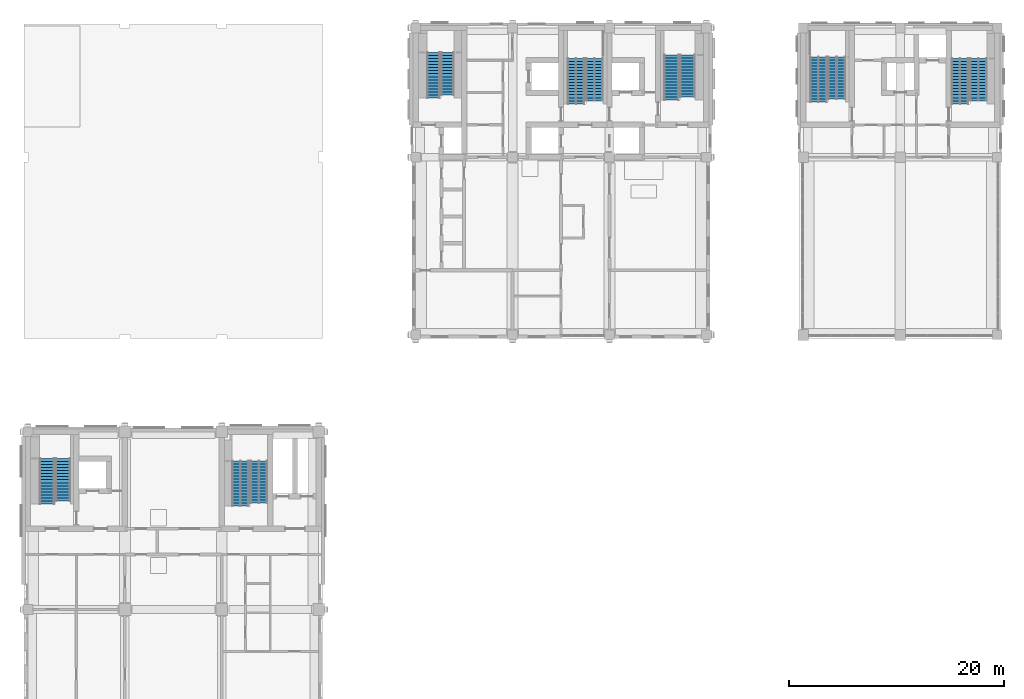
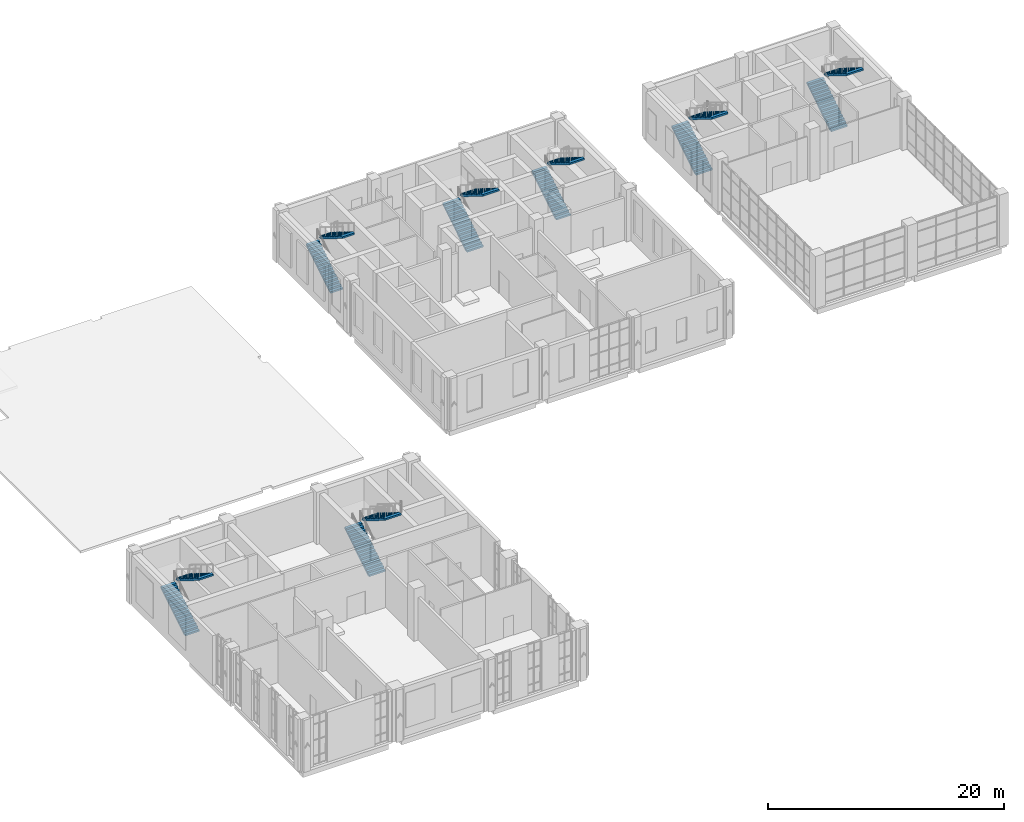
# One storey, part 25 of 33: 14 stair flights, 7 elements without a shape of their own.
"""IFC4 building model written with IfcOpenShell, lengths in metres."""

from ifc_helpers import new_model, si_unit, direction, frame, origin, place, context, subcontext, project, spatial, polyline, outline, extrude, material, type_object, element, aggregate, save


model = new_model("IFC4")

# Units and contexts
model_context = context("Model", 3, precision=1e-05, world=origin(), true_north=direction((0.0, 1.0)))
body_context = subcontext(model_context, "Body", "Model", "MODEL_VIEW")
ifc_project = project(units=[si_unit("LENGTHUNIT", "METRE"), si_unit("AREAUNIT", "SQUARE_METRE"), si_unit("VOLUMEUNIT", "CUBIC_METRE"), si_unit("PLANEANGLEUNIT", "RADIAN"), si_unit("MASSUNIT", "GRAM", prefix="KILO")], contexts=[model_context])

# Site, building, storey
site_placement = place(None, origin())
site = spatial("IfcSite", under=ifc_project, at=site_placement, CompositionType="ELEMENT")
building_placement = place(site_placement, origin())
building = spatial("IfcBuilding", under=site, at=building_placement, Name="Aurelan Courthouse", CompositionType="ELEMENT")
storey_placement = place(building_placement, frame((0.0, 0.0, 22.800048828125)))
storey = spatial("IfcBuildingStorey", under=building, at=storey_placement, Name="L04", CompositionType="ELEMENT", Elevation=22.800048828125)

# Stair, stair flights
ifc_material = material(Name="Concrete C30", Category="concrete")
stair_type_1 = type_object("IfcStairType", Name="Half-turn stair 1200 wide 31 risers", PredefinedType="HALF_TURN_STAIR", material=ifc_material)
stair_1_placement = place(storey_placement, origin())
stair_1 = element("IfcStair", 1, at=stair_1_placement, inside=storey, type_object=stair_type_1, Name="Stair CS-2-L04", PredefinedType="HALF_TURN_STAIR")
stair_flight_type_1 = type_object("IfcStairFlightType", Name="Stair flight 1200 wide 16 risers", PredefinedType="STRAIGHT", material=ifc_material)
stair_flight_1_placement = place(storey_placement, frame((37.659912109375, 59.510009765625, 0.0), z_axis=(0.0, 0.0, 1.0), x_axis=(0.0, 1.0, 0.0)))
stair_flight_1 = element("IfcStairFlight", 2, at=stair_flight_1_placement, type_object=stair_flight_type_1, Name="Stair CS-2-L04 flight 1", NumberOfRisers=16, NumberOfTreads=15, PredefinedType="STRAIGHT", RiserHeight=0.174193548, TreadLength=0.28, context=body_context, shape_type="SweptSolid", body=[
    extrude(outline(polyline([(0.0, 0.0), (0.0, 0.174072265625), (0.280029296875, 0.174072265625), (0.280029296875, 0.348388671875), (0.56005859375, 0.348388671875), (0.56005859375, 0.5224609375), (0.840087890625, 0.5224609375), (0.840087890625, 0.69677734375), (1.1201171875, 0.69677734375), (1.1201171875, 0.870849609375), (1.39990234375, 0.870849609375), (1.39990234375, 1.045166015625), (1.679931640625, 1.045166015625), (1.679931640625, 1.21923828125), (1.9599609375, 1.21923828125), (1.9599609375, 1.3935546875), (2.239990234375, 1.3935546875), (2.239990234375, 1.567626953125), (2.52001953125, 1.567626953125), (2.52001953125, 1.741943359375), (2.800048828125, 1.741943359375), (2.800048828125, 1.916015625), (3.080078125, 1.916015625), (3.080078125, 2.09033203125), (3.360107421875, 2.09033203125), (3.360107421875, 2.264404296875), (3.639892578125, 2.264404296875), (3.639892578125, 2.438720703125), (3.919921875, 2.438720703125), (3.919921875, 2.61279296875), (4.199951171875, 2.61279296875), (4.199951171875, 2.787109375), (4.199951171875, 2.436279296875), (0.28369140625, 0.0), (0.0, 0.0)])), frame((0.0, 0.60009765625, 0.0), z_axis=(0.0, -1.0, 0.0), x_axis=(1.0, 0.0, 0.0)), (0.0, 0.0, 1.0), 1.199951171875),
])
stair_flight_2_placement = place(storey_placement, frame((38.9599609375, 63.7099609375, 2.787109375), z_axis=(0.0, 0.0, 1.0), x_axis=(0.0, -1.0, 0.0)))
stair_flight_2 = element("IfcStairFlight", 3, at=stair_flight_2_placement, type_object=stair_flight_type_1, Name="Stair CS-2-L04 flight 2", NumberOfRisers=15, NumberOfTreads=14, PredefinedType="STRAIGHT", RiserHeight=0.174193548, TreadLength=0.28, context=body_context, shape_type="SweptSolid", body=[
    extrude(outline(polyline([(0.0, 0.0), (0.0, 0.174072265625), (0.280029296875, 0.174072265625), (0.280029296875, 0.348388671875), (0.56005859375, 0.348388671875), (0.56005859375, 0.5224609375), (0.840087890625, 0.5224609375), (0.840087890625, 0.69677734375), (1.1201171875, 0.69677734375), (1.1201171875, 0.870849609375), (1.39990234375, 0.870849609375), (1.39990234375, 1.045166015625), (1.679931640625, 1.045166015625), (1.679931640625, 1.21923828125), (1.9599609375, 1.21923828125), (1.9599609375, 1.3935546875), (2.239990234375, 1.3935546875), (2.239990234375, 1.567626953125), (2.52001953125, 1.567626953125), (2.52001953125, 1.741943359375), (2.800048828125, 1.741943359375), (2.800048828125, 1.916015625), (3.080078125, 1.916015625), (3.080078125, 2.09033203125), (3.360107421875, 2.09033203125), (3.360107421875, 2.264404296875), (3.639892578125, 2.264404296875), (3.639892578125, 2.438720703125), (3.919921875, 2.438720703125), (3.919921875, 2.61279296875), (3.919921875, 2.26220703125), (0.28369140625, 0.0), (0.0, 0.0)])), frame((0.0, 0.60009765625, 0.0), z_axis=(0.0, -1.0, 0.0), x_axis=(1.0, 0.0, 0.0)), (0.0, 0.0, 1.0), 1.199951171875),
])
aggregate(stair_1, [stair_flight_1, stair_flight_2])

stair_type_2 = type_object("IfcStairType", Name="Half-turn stair 1400 wide 31 risers", PredefinedType="HALF_TURN_STAIR", material=ifc_material)
stair_2_placement = place(storey_placement, origin())
stair_2 = element("IfcStair", 4, at=stair_2_placement, inside=storey, type_object=stair_type_2, Name="Stair ST-2E-L04", PredefinedType="HALF_TURN_STAIR")
stair_flight_type_2 = type_object("IfcStairFlightType", Name="Stair flight 1400 wide 16 risers", PredefinedType="STRAIGHT", material=ifc_material)
stair_flight_3_placement = place(storey_placement, frame((59.739990234375, 59.31005859375, 0.0), z_axis=(0.0, 0.0, 1.0), x_axis=(0.0, 1.0, 0.0)))
stair_flight_3 = element("IfcStairFlight", 5, at=stair_flight_3_placement, type_object=stair_flight_type_2, Name="Stair ST-2E-L04 flight 1", NumberOfRisers=16, NumberOfTreads=15, PredefinedType="STRAIGHT", RiserHeight=0.174193548, TreadLength=0.28, context=body_context, shape_type="SweptSolid", body=[
    extrude(outline(polyline([(0.0, 0.0), (0.0, 0.174072265625), (0.280029296875, 0.174072265625), (0.280029296875, 0.348388671875), (0.56005859375, 0.348388671875), (0.56005859375, 0.5224609375), (0.840087890625, 0.5224609375), (0.840087890625, 0.69677734375), (1.1201171875, 0.69677734375), (1.1201171875, 0.870849609375), (1.39990234375, 0.870849609375), (1.39990234375, 1.045166015625), (1.679931640625, 1.045166015625), (1.679931640625, 1.21923828125), (1.9599609375, 1.21923828125), (1.9599609375, 1.3935546875), (2.239990234375, 1.3935546875), (2.239990234375, 1.567626953125), (2.52001953125, 1.567626953125), (2.52001953125, 1.741943359375), (2.800048828125, 1.741943359375), (2.800048828125, 1.916015625), (3.080078125, 1.916015625), (3.080078125, 2.09033203125), (3.360107421875, 2.09033203125), (3.360107421875, 2.264404296875), (3.639892578125, 2.264404296875), (3.639892578125, 2.438720703125), (3.919921875, 2.438720703125), (3.919921875, 2.61279296875), (4.199951171875, 2.61279296875), (4.199951171875, 2.787109375), (4.199951171875, 2.436279296875), (0.28369140625, 0.0), (0.0, 0.0)])), frame((0.0, 0.699951171875, 0.0), z_axis=(0.0, -1.0, 0.0), x_axis=(1.0, 0.0, 0.0)), (0.0, 0.0, 1.0), 1.39990234375),
])
stair_flight_4_placement = place(storey_placement, frame((61.239990234375, 63.510009765625, 2.787109375), z_axis=(0.0, 0.0, 1.0), x_axis=(0.0, -1.0, 0.0)))
stair_flight_4 = element("IfcStairFlight", 6, at=stair_flight_4_placement, type_object=stair_flight_type_2, Name="Stair ST-2E-L04 flight 2", NumberOfRisers=15, NumberOfTreads=14, PredefinedType="STRAIGHT", RiserHeight=0.174193548, TreadLength=0.28, context=body_context, shape_type="SweptSolid", body=[
    extrude(outline(polyline([(0.0, 0.0), (0.0, 0.174072265625), (0.280029296875, 0.174072265625), (0.280029296875, 0.348388671875), (0.56005859375, 0.348388671875), (0.56005859375, 0.5224609375), (0.840087890625, 0.5224609375), (0.840087890625, 0.69677734375), (1.1201171875, 0.69677734375), (1.1201171875, 0.870849609375), (1.39990234375, 0.870849609375), (1.39990234375, 1.045166015625), (1.679931640625, 1.045166015625), (1.679931640625, 1.21923828125), (1.9599609375, 1.21923828125), (1.9599609375, 1.3935546875), (2.239990234375, 1.3935546875), (2.239990234375, 1.567626953125), (2.52001953125, 1.567626953125), (2.52001953125, 1.741943359375), (2.800048828125, 1.741943359375), (2.800048828125, 1.916015625), (3.080078125, 1.916015625), (3.080078125, 2.09033203125), (3.360107421875, 2.09033203125), (3.360107421875, 2.264404296875), (3.639892578125, 2.264404296875), (3.639892578125, 2.438720703125), (3.919921875, 2.438720703125), (3.919921875, 2.61279296875), (3.919921875, 2.26220703125), (0.28369140625, 0.0), (0.0, 0.0)])), frame((0.0, 0.699951171875, 0.0), z_axis=(0.0, -1.0, 0.0), x_axis=(1.0, 0.0, 0.0)), (0.0, 0.0, 1.0), 1.39990234375),
])
aggregate(stair_2, [stair_flight_3, stair_flight_4])

stair_3_placement = place(storey_placement, origin())
stair_3 = element("IfcStair", 7, at=stair_3_placement, inside=storey, type_object=stair_type_2, Name="Stair ST-5B-L04", PredefinedType="HALF_TURN_STAIR")
stair_flight_5_placement = place(storey_placement, frame((1.760009765625, 21.81005859375, 0.0), z_axis=(0.0, 0.0, 1.0), x_axis=(0.0, 1.0, 0.0)))
stair_flight_5 = element("IfcStairFlight", 8, at=stair_flight_5_placement, type_object=stair_flight_type_2, Name="Stair ST-5B-L04 flight 1", NumberOfRisers=16, NumberOfTreads=15, PredefinedType="STRAIGHT", RiserHeight=0.174193548, TreadLength=0.28, context=body_context, shape_type="SweptSolid", body=[
    extrude(outline(polyline([(0.0, 0.0), (0.0, 0.174072265625), (0.280029296875, 0.174072265625), (0.280029296875, 0.348388671875), (0.56005859375, 0.348388671875), (0.56005859375, 0.5224609375), (0.840087890625, 0.5224609375), (0.840087890625, 0.69677734375), (1.1201171875, 0.69677734375), (1.1201171875, 0.870849609375), (1.39990234375, 0.870849609375), (1.39990234375, 1.045166015625), (1.679931640625, 1.045166015625), (1.679931640625, 1.21923828125), (1.9599609375, 1.21923828125), (1.9599609375, 1.3935546875), (2.239990234375, 1.3935546875), (2.239990234375, 1.567626953125), (2.52001953125, 1.567626953125), (2.52001953125, 1.741943359375), (2.800048828125, 1.741943359375), (2.800048828125, 1.916015625), (3.080078125, 1.916015625), (3.080078125, 2.09033203125), (3.360107421875, 2.09033203125), (3.360107421875, 2.264404296875), (3.639892578125, 2.264404296875), (3.639892578125, 2.438720703125), (3.919921875, 2.438720703125), (3.919921875, 2.61279296875), (4.199951171875, 2.61279296875), (4.199951171875, 2.787109375), (4.199951171875, 2.436279296875), (0.28369140625, 0.0), (0.0, 0.0)])), frame((0.0, 0.699951171875, 0.0), z_axis=(0.0, -1.0, 0.0), x_axis=(1.0, 0.0, 0.0)), (0.0, 0.0, 1.0), 1.39990234375),
])
stair_flight_6_placement = place(storey_placement, frame((3.260009765625, 26.010009765625, 2.787109375), z_axis=(0.0, 0.0, 1.0), x_axis=(0.0, -1.0, 0.0)))
stair_flight_6 = element("IfcStairFlight", 9, at=stair_flight_6_placement, type_object=stair_flight_type_2, Name="Stair ST-5B-L04 flight 2", NumberOfRisers=15, NumberOfTreads=14, PredefinedType="STRAIGHT", RiserHeight=0.174193548, TreadLength=0.28, context=body_context, shape_type="SweptSolid", body=[
    extrude(outline(polyline([(0.0, 0.0), (0.0, 0.174072265625), (0.280029296875, 0.174072265625), (0.280029296875, 0.348388671875), (0.56005859375, 0.348388671875), (0.56005859375, 0.5224609375), (0.840087890625, 0.5224609375), (0.840087890625, 0.69677734375), (1.1201171875, 0.69677734375), (1.1201171875, 0.870849609375), (1.39990234375, 0.870849609375), (1.39990234375, 1.045166015625), (1.679931640625, 1.045166015625), (1.679931640625, 1.21923828125), (1.9599609375, 1.21923828125), (1.9599609375, 1.3935546875), (2.239990234375, 1.3935546875), (2.239990234375, 1.567626953125), (2.52001953125, 1.567626953125), (2.52001953125, 1.741943359375), (2.800048828125, 1.741943359375), (2.800048828125, 1.916015625), (3.080078125, 1.916015625), (3.080078125, 2.09033203125), (3.360107421875, 2.09033203125), (3.360107421875, 2.264404296875), (3.639892578125, 2.264404296875), (3.639892578125, 2.438720703125), (3.919921875, 2.438720703125), (3.919921875, 2.61279296875), (3.919921875, 2.26220703125), (0.28369140625, 0.0), (0.0, 0.0)])), frame((0.0, 0.699951171875, 0.0), z_axis=(0.0, -1.0, 0.0), x_axis=(1.0, 0.0, 0.0)), (0.0, 0.0, 1.0), 1.39990234375),
])
aggregate(stair_3, [stair_flight_5, stair_flight_6])

stair_type_3 = type_object("IfcStairType", Name="Half-turn stair 1600 wide 31 risers", PredefinedType="HALF_TURN_STAIR", material=ifc_material)
stair_4_placement = place(storey_placement, origin())
stair_4 = element("IfcStair", 10, at=stair_4_placement, inside=storey, type_object=stair_type_3, Name="Stair ST-2A-L04", PredefinedType="HALF_TURN_STAIR")
stair_flight_type_3 = type_object("IfcStairFlightType", Name="Stair flight 1600 wide 16 risers", PredefinedType="STRAIGHT", material=ifc_material)
stair_flight_7_placement = place(storey_placement, frame((50.89990234375, 58.9599609375, 0.0), z_axis=(0.0, 0.0, 1.0), x_axis=(0.0, 1.0, 0.0)))
stair_flight_7 = element("IfcStairFlight", 11, at=stair_flight_7_placement, type_object=stair_flight_type_3, Name="Stair ST-2A-L04 flight 1", NumberOfRisers=16, NumberOfTreads=15, PredefinedType="STRAIGHT", RiserHeight=0.174193548, TreadLength=0.28, context=body_context, shape_type="SweptSolid", body=[
    extrude(outline(polyline([(0.0, 0.0), (0.0, 0.174072265625), (0.280029296875, 0.174072265625), (0.280029296875, 0.348388671875), (0.56005859375, 0.348388671875), (0.56005859375, 0.5224609375), (0.840087890625, 0.5224609375), (0.840087890625, 0.69677734375), (1.1201171875, 0.69677734375), (1.1201171875, 0.870849609375), (1.39990234375, 0.870849609375), (1.39990234375, 1.045166015625), (1.679931640625, 1.045166015625), (1.679931640625, 1.21923828125), (1.9599609375, 1.21923828125), (1.9599609375, 1.3935546875), (2.239990234375, 1.3935546875), (2.239990234375, 1.567626953125), (2.52001953125, 1.567626953125), (2.52001953125, 1.741943359375), (2.800048828125, 1.741943359375), (2.800048828125, 1.916015625), (3.080078125, 1.916015625), (3.080078125, 2.09033203125), (3.360107421875, 2.09033203125), (3.360107421875, 2.264404296875), (3.639892578125, 2.264404296875), (3.639892578125, 2.438720703125), (3.919921875, 2.438720703125), (3.919921875, 2.61279296875), (4.199951171875, 2.61279296875), (4.199951171875, 2.787109375), (4.199951171875, 2.436279296875), (0.28369140625, 0.0), (0.0, 0.0)])), frame((0.0, 0.800048828125, 0.0), z_axis=(0.0, -1.0, 0.0), x_axis=(1.0, 0.0, 0.0)), (0.0, 0.0, 1.0), 1.60009765625),
])
stair_flight_8_placement = place(storey_placement, frame((52.60009765625, 63.159912109375, 2.787109375), z_axis=(0.0, 0.0, 1.0), x_axis=(0.0, -1.0, 0.0)))
stair_flight_8 = element("IfcStairFlight", 12, at=stair_flight_8_placement, type_object=stair_flight_type_3, Name="Stair ST-2A-L04 flight 2", NumberOfRisers=15, NumberOfTreads=14, PredefinedType="STRAIGHT", RiserHeight=0.174193548, TreadLength=0.28, context=body_context, shape_type="SweptSolid", body=[
    extrude(outline(polyline([(0.0, 0.0), (0.0, 0.174072265625), (0.280029296875, 0.174072265625), (0.280029296875, 0.348388671875), (0.56005859375, 0.348388671875), (0.56005859375, 0.5224609375), (0.840087890625, 0.5224609375), (0.840087890625, 0.69677734375), (1.1201171875, 0.69677734375), (1.1201171875, 0.870849609375), (1.39990234375, 0.870849609375), (1.39990234375, 1.045166015625), (1.679931640625, 1.045166015625), (1.679931640625, 1.21923828125), (1.9599609375, 1.21923828125), (1.9599609375, 1.3935546875), (2.239990234375, 1.3935546875), (2.239990234375, 1.567626953125), (2.52001953125, 1.567626953125), (2.52001953125, 1.741943359375), (2.800048828125, 1.741943359375), (2.800048828125, 1.916015625), (3.080078125, 1.916015625), (3.080078125, 2.09033203125), (3.360107421875, 2.09033203125), (3.360107421875, 2.264404296875), (3.639892578125, 2.264404296875), (3.639892578125, 2.438720703125), (3.919921875, 2.438720703125), (3.919921875, 2.61279296875), (3.919921875, 2.26220703125), (0.28369140625, 0.0), (0.0, 0.0)])), frame((0.0, 0.800048828125, 0.0), z_axis=(0.0, -1.0, 0.0), x_axis=(1.0, 0.0, 0.0)), (0.0, 0.0, 1.0), 1.60009765625),
])
aggregate(stair_4, [stair_flight_7, stair_flight_8])

stair_5_placement = place(storey_placement, origin())
stair_5 = element("IfcStair", 13, at=stair_5_placement, inside=storey, type_object=stair_type_3, Name="Stair ST-3A-L04", PredefinedType="HALF_TURN_STAIR")
stair_flight_9_placement = place(storey_placement, frame((73.39990234375, 59.110107421875, 0.0), z_axis=(0.0, 0.0, 1.0), x_axis=(0.0, 1.0, 0.0)))
stair_flight_9 = element("IfcStairFlight", 14, at=stair_flight_9_placement, type_object=stair_flight_type_3, Name="Stair ST-3A-L04 flight 1", NumberOfRisers=16, NumberOfTreads=15, PredefinedType="STRAIGHT", RiserHeight=0.174193548, TreadLength=0.28, context=body_context, shape_type="SweptSolid", body=[
    extrude(outline(polyline([(0.0, 0.0), (0.0, 0.174072265625), (0.280029296875, 0.174072265625), (0.280029296875, 0.348388671875), (0.56005859375, 0.348388671875), (0.56005859375, 0.5224609375), (0.840087890625, 0.5224609375), (0.840087890625, 0.69677734375), (1.1201171875, 0.69677734375), (1.1201171875, 0.870849609375), (1.39990234375, 0.870849609375), (1.39990234375, 1.045166015625), (1.679931640625, 1.045166015625), (1.679931640625, 1.21923828125), (1.9599609375, 1.21923828125), (1.9599609375, 1.3935546875), (2.239990234375, 1.3935546875), (2.239990234375, 1.567626953125), (2.52001953125, 1.567626953125), (2.52001953125, 1.741943359375), (2.800048828125, 1.741943359375), (2.800048828125, 1.916015625), (3.080078125, 1.916015625), (3.080078125, 2.09033203125), (3.360107421875, 2.09033203125), (3.360107421875, 2.264404296875), (3.639892578125, 2.264404296875), (3.639892578125, 2.438720703125), (3.919921875, 2.438720703125), (3.919921875, 2.61279296875), (4.199951171875, 2.61279296875), (4.199951171875, 2.787109375), (4.199951171875, 2.436279296875), (0.28369140625, 0.0), (0.0, 0.0)])), frame((0.0, 0.800048828125, 0.0), z_axis=(0.0, -1.0, 0.0), x_axis=(1.0, 0.0, 0.0)), (0.0, 0.0, 1.0), 1.60009765625),
])
stair_flight_10_placement = place(storey_placement, frame((75.10009765625, 63.31005859375, 2.787109375), z_axis=(0.0, 0.0, 1.0), x_axis=(0.0, -1.0, 0.0)))
stair_flight_10 = element("IfcStairFlight", 15, at=stair_flight_10_placement, type_object=stair_flight_type_3, Name="Stair ST-3A-L04 flight 2", NumberOfRisers=15, NumberOfTreads=14, PredefinedType="STRAIGHT", RiserHeight=0.174193548, TreadLength=0.28, context=body_context, shape_type="SweptSolid", body=[
    extrude(outline(polyline([(0.0, 0.0), (0.0, 0.174072265625), (0.280029296875, 0.174072265625), (0.280029296875, 0.348388671875), (0.56005859375, 0.348388671875), (0.56005859375, 0.5224609375), (0.840087890625, 0.5224609375), (0.840087890625, 0.69677734375), (1.1201171875, 0.69677734375), (1.1201171875, 0.870849609375), (1.39990234375, 0.870849609375), (1.39990234375, 1.045166015625), (1.679931640625, 1.045166015625), (1.679931640625, 1.21923828125), (1.9599609375, 1.21923828125), (1.9599609375, 1.3935546875), (2.239990234375, 1.3935546875), (2.239990234375, 1.567626953125), (2.52001953125, 1.567626953125), (2.52001953125, 1.741943359375), (2.800048828125, 1.741943359375), (2.800048828125, 1.916015625), (3.080078125, 1.916015625), (3.080078125, 2.09033203125), (3.360107421875, 2.09033203125), (3.360107421875, 2.264404296875), (3.639892578125, 2.264404296875), (3.639892578125, 2.438720703125), (3.919921875, 2.438720703125), (3.919921875, 2.61279296875), (3.919921875, 2.26220703125), (0.28369140625, 0.0), (0.0, 0.0)])), frame((0.0, 0.800048828125, 0.0), z_axis=(0.0, -1.0, 0.0), x_axis=(1.0, 0.0, 0.0)), (0.0, 0.0, 1.0), 1.60009765625),
])
aggregate(stair_5, [stair_flight_9, stair_flight_10])

stair_6_placement = place(storey_placement, origin())
stair_6 = element("IfcStair", 16, at=stair_6_placement, inside=storey, type_object=stair_type_3, Name="Stair ST-3B-L04", PredefinedType="HALF_TURN_STAIR")
stair_flight_11_placement = place(storey_placement, frame((86.550048828125, 58.9599609375, 0.0), z_axis=(0.0, 0.0, 1.0), x_axis=(0.0, 1.0, 0.0)))
stair_flight_11 = element("IfcStairFlight", 17, at=stair_flight_11_placement, type_object=stair_flight_type_3, Name="Stair ST-3B-L04 flight 1", NumberOfRisers=16, NumberOfTreads=15, PredefinedType="STRAIGHT", RiserHeight=0.174193548, TreadLength=0.28, context=body_context, shape_type="SweptSolid", body=[
    extrude(outline(polyline([(0.0, 0.0), (0.0, 0.174072265625), (0.280029296875, 0.174072265625), (0.280029296875, 0.348388671875), (0.56005859375, 0.348388671875), (0.56005859375, 0.5224609375), (0.840087890625, 0.5224609375), (0.840087890625, 0.69677734375), (1.1201171875, 0.69677734375), (1.1201171875, 0.870849609375), (1.39990234375, 0.870849609375), (1.39990234375, 1.045166015625), (1.679931640625, 1.045166015625), (1.679931640625, 1.21923828125), (1.9599609375, 1.21923828125), (1.9599609375, 1.3935546875), (2.239990234375, 1.3935546875), (2.239990234375, 1.567626953125), (2.52001953125, 1.567626953125), (2.52001953125, 1.741943359375), (2.800048828125, 1.741943359375), (2.800048828125, 1.916015625), (3.080078125, 1.916015625), (3.080078125, 2.09033203125), (3.360107421875, 2.09033203125), (3.360107421875, 2.264404296875), (3.639892578125, 2.264404296875), (3.639892578125, 2.438720703125), (3.919921875, 2.438720703125), (3.919921875, 2.61279296875), (4.199951171875, 2.61279296875), (4.199951171875, 2.787109375), (4.199951171875, 2.436279296875), (0.28369140625, 0.0), (0.0, 0.0)])), frame((0.0, 0.800048828125, 0.0), z_axis=(0.0, -1.0, 0.0), x_axis=(1.0, 0.0, 0.0)), (0.0, 0.0, 1.0), 1.60009765625),
])
stair_flight_12_placement = place(storey_placement, frame((88.25, 63.159912109375, 2.787109375), z_axis=(0.0, 0.0, 1.0), x_axis=(0.0, -1.0, 0.0)))
stair_flight_12 = element("IfcStairFlight", 18, at=stair_flight_12_placement, type_object=stair_flight_type_3, Name="Stair ST-3B-L04 flight 2", NumberOfRisers=15, NumberOfTreads=14, PredefinedType="STRAIGHT", RiserHeight=0.174193548, TreadLength=0.28, context=body_context, shape_type="SweptSolid", body=[
    extrude(outline(polyline([(0.0, 0.0), (0.0, 0.174072265625), (0.280029296875, 0.174072265625), (0.280029296875, 0.348388671875), (0.56005859375, 0.348388671875), (0.56005859375, 0.5224609375), (0.840087890625, 0.5224609375), (0.840087890625, 0.69677734375), (1.1201171875, 0.69677734375), (1.1201171875, 0.870849609375), (1.39990234375, 0.870849609375), (1.39990234375, 1.045166015625), (1.679931640625, 1.045166015625), (1.679931640625, 1.21923828125), (1.9599609375, 1.21923828125), (1.9599609375, 1.3935546875), (2.239990234375, 1.3935546875), (2.239990234375, 1.567626953125), (2.52001953125, 1.567626953125), (2.52001953125, 1.741943359375), (2.800048828125, 1.741943359375), (2.800048828125, 1.916015625), (3.080078125, 1.916015625), (3.080078125, 2.09033203125), (3.360107421875, 2.09033203125), (3.360107421875, 2.264404296875), (3.639892578125, 2.264404296875), (3.639892578125, 2.438720703125), (3.919921875, 2.438720703125), (3.919921875, 2.61279296875), (3.919921875, 2.26220703125), (0.28369140625, 0.0), (0.0, 0.0)])), frame((0.0, 0.800048828125, 0.0), z_axis=(0.0, -1.0, 0.0), x_axis=(1.0, 0.0, 0.0)), (0.0, 0.0, 1.0), 1.60009765625),
])
aggregate(stair_6, [stair_flight_11, stair_flight_12])

stair_7_placement = place(storey_placement, origin())
stair_7 = element("IfcStair", 19, at=stair_7_placement, inside=storey, type_object=stair_type_3, Name="Stair ST-5A-L04", PredefinedType="HALF_TURN_STAIR")
stair_flight_13_placement = place(storey_placement, frame((19.75, 21.610107421875, 0.0), z_axis=(0.0, 0.0, 1.0), x_axis=(0.0, 1.0, 0.0)))
stair_flight_13 = element("IfcStairFlight", 20, at=stair_flight_13_placement, type_object=stair_flight_type_3, Name="Stair ST-5A-L04 flight 1", NumberOfRisers=16, NumberOfTreads=15, PredefinedType="STRAIGHT", RiserHeight=0.174193548, TreadLength=0.28, context=body_context, shape_type="SweptSolid", body=[
    extrude(outline(polyline([(0.0, 0.0), (0.0, 0.174072265625), (0.280029296875, 0.174072265625), (0.280029296875, 0.348388671875), (0.56005859375, 0.348388671875), (0.56005859375, 0.5224609375), (0.840087890625, 0.5224609375), (0.840087890625, 0.69677734375), (1.1201171875, 0.69677734375), (1.1201171875, 0.870849609375), (1.39990234375, 0.870849609375), (1.39990234375, 1.045166015625), (1.679931640625, 1.045166015625), (1.679931640625, 1.21923828125), (1.9599609375, 1.21923828125), (1.9599609375, 1.3935546875), (2.239990234375, 1.3935546875), (2.239990234375, 1.567626953125), (2.52001953125, 1.567626953125), (2.52001953125, 1.741943359375), (2.800048828125, 1.741943359375), (2.800048828125, 1.916015625), (3.080078125, 1.916015625), (3.080078125, 2.09033203125), (3.360107421875, 2.09033203125), (3.360107421875, 2.264404296875), (3.639892578125, 2.264404296875), (3.639892578125, 2.438720703125), (3.919921875, 2.438720703125), (3.919921875, 2.61279296875), (4.199951171875, 2.61279296875), (4.199951171875, 2.787109375), (4.199951171875, 2.436279296875), (0.28369140625, 0.0), (0.0, 0.0)])), frame((0.0, 0.800048828125, 0.0), z_axis=(0.0, -1.0, 0.0), x_axis=(1.0, 0.0, 0.0)), (0.0, 0.0, 1.0), 1.60009765625),
])
stair_flight_14_placement = place(storey_placement, frame((21.449951171875, 25.81005859375, 2.787109375), z_axis=(0.0, 0.0, 1.0), x_axis=(0.0, -1.0, 0.0)))
stair_flight_14 = element("IfcStairFlight", 21, at=stair_flight_14_placement, type_object=stair_flight_type_3, Name="Stair ST-5A-L04 flight 2", NumberOfRisers=15, NumberOfTreads=14, PredefinedType="STRAIGHT", RiserHeight=0.174193548, TreadLength=0.28, context=body_context, shape_type="SweptSolid", body=[
    extrude(outline(polyline([(0.0, 0.0), (0.0, 0.174072265625), (0.280029296875, 0.174072265625), (0.280029296875, 0.348388671875), (0.56005859375, 0.348388671875), (0.56005859375, 0.5224609375), (0.840087890625, 0.5224609375), (0.840087890625, 0.69677734375), (1.1201171875, 0.69677734375), (1.1201171875, 0.870849609375), (1.39990234375, 0.870849609375), (1.39990234375, 1.045166015625), (1.679931640625, 1.045166015625), (1.679931640625, 1.21923828125), (1.9599609375, 1.21923828125), (1.9599609375, 1.3935546875), (2.239990234375, 1.3935546875), (2.239990234375, 1.567626953125), (2.52001953125, 1.567626953125), (2.52001953125, 1.741943359375), (2.800048828125, 1.741943359375), (2.800048828125, 1.916015625), (3.080078125, 1.916015625), (3.080078125, 2.09033203125), (3.360107421875, 2.09033203125), (3.360107421875, 2.264404296875), (3.639892578125, 2.264404296875), (3.639892578125, 2.438720703125), (3.919921875, 2.438720703125), (3.919921875, 2.61279296875), (3.919921875, 2.26220703125), (0.28369140625, 0.0), (0.0, 0.0)])), frame((0.0, 0.800048828125, 0.0), z_axis=(0.0, -1.0, 0.0), x_axis=(1.0, 0.0, 0.0)), (0.0, 0.0, 1.0), 1.60009765625),
])
aggregate(stair_7, [stair_flight_13, stair_flight_14])

save(model, "model.ifc")
